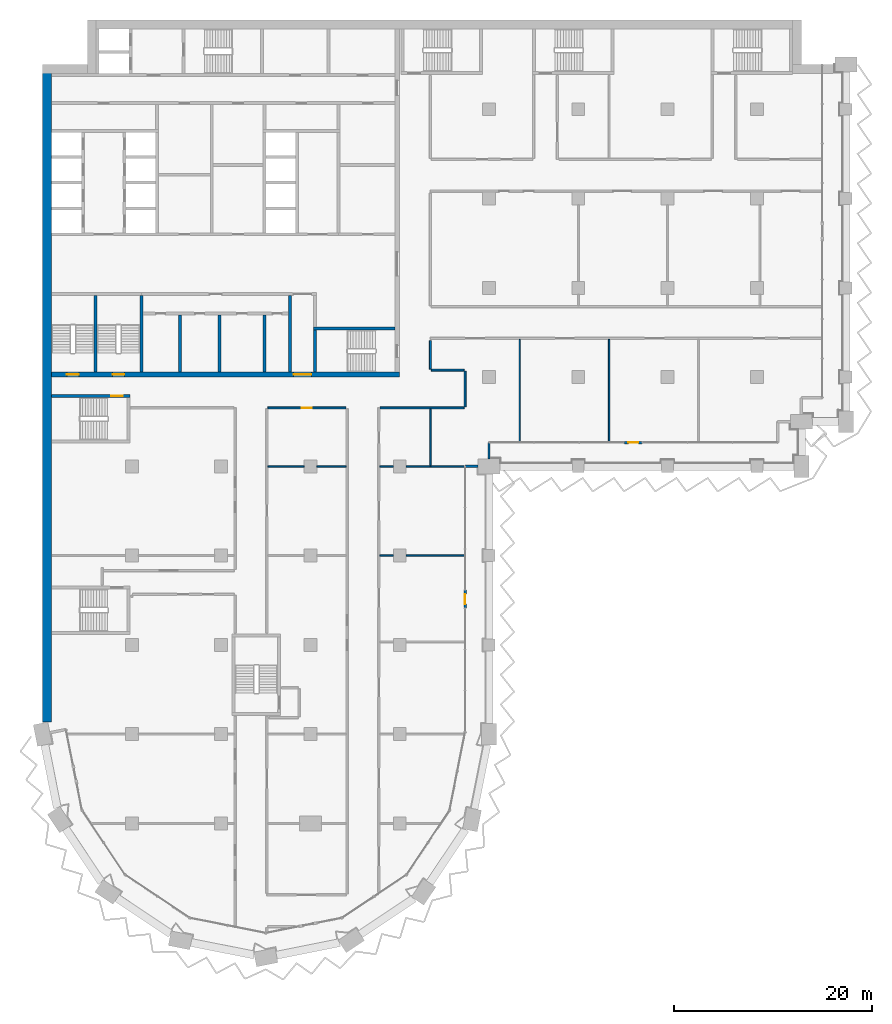
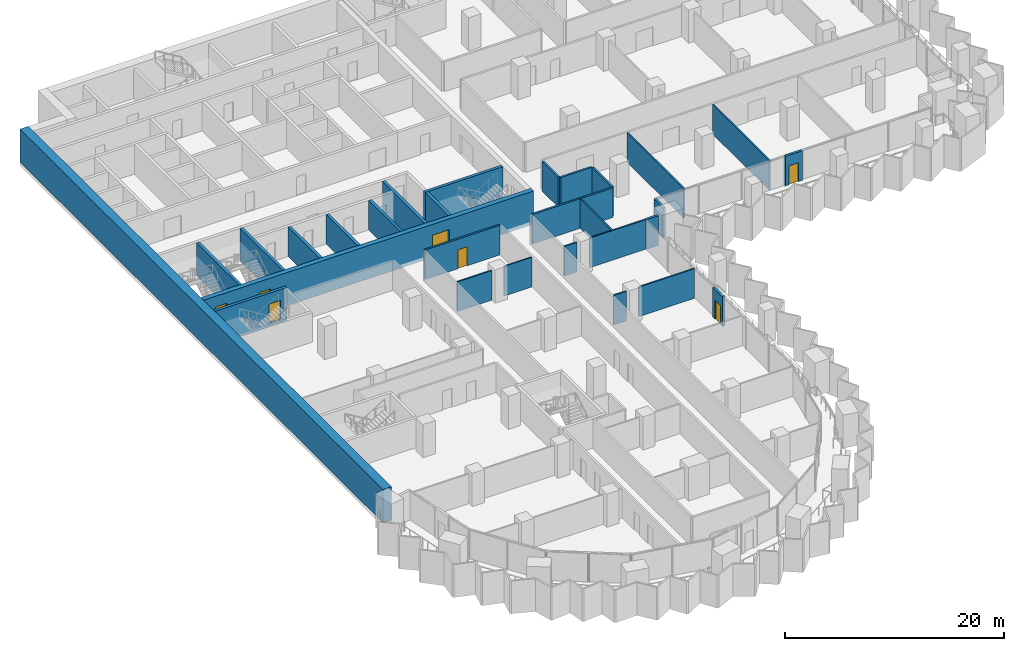
# One storey, part 11 of 22: 29 walls, 7 doors, 7 openings.
"""IFC4 building model written with IfcOpenShell, lengths in metres."""

from ifc_helpers import new_model, si_unit, direction, frame, frame_2d, origin, place, context, subcontext, project, spatial, rectangle, extrude, material, layer, layer_set, type_object, element, fill, save


model = new_model("IFC4")

# Units and contexts
model_context = context("Model", 3, precision=1e-05, world=origin(), true_north=direction((0.0, 1.0)))
body_context = subcontext(model_context, "Body", "Model", "MODEL_VIEW")
ifc_project = project(units=[si_unit("LENGTHUNIT", "METRE"), si_unit("AREAUNIT", "SQUARE_METRE"), si_unit("VOLUMEUNIT", "CUBIC_METRE"), si_unit("PLANEANGLEUNIT", "RADIAN"), si_unit("MASSUNIT", "GRAM", prefix="KILO")], contexts=[model_context])

# Site, building, storey
site_placement = place(None, origin())
site = spatial("IfcSite", under=ifc_project, at=site_placement, CompositionType="ELEMENT")
building_placement = place(site_placement, origin())
building = spatial("IfcBuilding", under=site, at=building_placement, Name="Hunhe Ridgeline Campus", CompositionType="ELEMENT")
storey_placement = place(building_placement, frame((0.0, 0.0, 92.199951171875)))
storey = spatial("IfcBuildingStorey", under=building, at=storey_placement, Name="L22", CompositionType="ELEMENT", Elevation=92.199951171875)

# Walls
ifc_material_1 = material(Name="Masonry concrete blockwork", Category="masonry")
ifc_layer_1 = layer(ifc_material_1, 0.300048828125)
ifc_layer_set_1 = layer_set([ifc_layer_1], Name="Core room partition 300 concrete block")
wall_type_1 = type_object("IfcWallType", Name="Core room partition 300 concrete block", PredefinedType="PARTITIONING", material=ifc_layer_set_1)
for number, where, z_axis, x_axis, name in (
    (1, (13.85009765625, 63.5, 0.0), (0.0, 0.0, 1.0), (0.0, 1.0, 0.0), "L22 core partition 44"),
    (2, (17.85009765625, 63.5, 0.0), (0.0, 0.0, 1.0), (0.0, 1.0, 0.0), "L22 core partition 47"),
    (3, (22.35009765625, 63.5, 0.0), (0.0, 0.0, 1.0), (0.0, 1.0, 0.0), "L22 core partition 50"),
):
    element("IfcWall", number, at=place(storey_placement, frame(where, z_axis=z_axis, x_axis=x_axis)), inside=storey, type_object=wall_type_1, Name=name, PredefinedType="PARTITIONING", context=body_context, shape_type="SweptSolid", body=[
        extrude(rectangle(XDim=5.75, YDim=0.300048828125, at=frame_2d((2.875, 0.0))), origin(), (0.0, 0.0, 1.0), 3.300048828125),
    ])
wall_1_placement = place(storey_placement, frame((24.949951171875, 63.5, 0.0), z_axis=(0.0, 0.0, 1.0), x_axis=(0.0, 1.0, 0.0)))
element("IfcWall", 4, at=wall_1_placement, inside=storey, type_object=wall_type_1, Name="L22 core partition 54", PredefinedType="PARTITIONING", context=body_context, shape_type="SweptSolid", body=[
    extrude(rectangle(XDim=7.75, YDim=0.300048828125, at=frame_2d((3.875, 0.0))), origin(), (0.0, 0.0, 1.0), 3.300048828125),
])

# Wall, openings, doors
ifc_material_2 = material(Name="Concrete C80", Category="concrete")
ifc_layer_2 = layer(ifc_material_2, 0.5)
ifc_layer_set_2 = layer_set([ifc_layer_2], Name="Core wall 500 reinforced concrete C80")
wall_type_2 = type_object("IfcWallType", Name="Core wall 500 reinforced concrete C80", PredefinedType="SOLIDWALL", material=ifc_layer_set_2)
wall_2_placement = place(storey_placement, frame((0.89990234375, 63.25, -0.39990234375), z_axis=(0.0, 0.0, 1.0), x_axis=(1.0, 0.0, 0.0)))
wall_2 = element("IfcWall", 5, at=wall_2_placement, inside=storey, type_object=wall_type_2, Name="L22 core wall 7", PredefinedType="SOLIDWALL", context=body_context, shape_type="SweptSolid", body=[
    extrude(rectangle(XDim=35.10009765625, YDim=0.5, at=frame_2d((17.550048828125, 0.0))), origin(), (0.0, 0.0, 1.0), 3.699951171875),
])
opening_1_placement = place(wall_2_placement, frame((24.39990234375, 0.0, 0.39990234375)))
opening_1 = element("IfcOpeningElement", 6, at=opening_1_placement, cuts=wall_2, Name="Opening CD6", PredefinedType="OPENING", context=body_context, shape_type="SweptSolid", body=[
    extrude(rectangle(XDim=1.800048828125, YDim=2.10009765625, at=frame_2d((0.89990234375, 1.050048828125))), frame((0.0, 0.25, 0.0), z_axis=(0.0, -1.0, 0.0), x_axis=(1.0, 0.0, 0.0)), (0.0, 0.0, 1.0), 0.5),
])
opening_2_placement = place(wall_2_placement, frame((1.550048828125, 0.0, 0.39990234375)))
opening_2 = element("IfcOpeningElement", 7, at=opening_2_placement, cuts=wall_2, Name="Opening CD13", PredefinedType="OPENING", context=body_context, shape_type="SweptSolid", body=[
    extrude(rectangle(XDim=1.199951171875, YDim=2.10009765625, at=frame_2d((0.60009765625, 1.050048828125))), frame((0.0, 0.25, 0.0), z_axis=(0.0, -1.0, 0.0), x_axis=(1.0, 0.0, 0.0)), (0.0, 0.0, 1.0), 0.5),
])
opening_3_placement = place(wall_2_placement, frame((6.14990234375, 0.0, 0.39990234375)))
opening_3 = element("IfcOpeningElement", 8, at=opening_3_placement, cuts=wall_2, Name="Opening CD14", PredefinedType="OPENING", context=body_context, shape_type="SweptSolid", body=[
    extrude(rectangle(XDim=1.199951171875, YDim=2.10009765625, at=frame_2d((0.60009765625, 1.050048828125))), frame((0.0, 0.25, 0.0), z_axis=(0.0, -1.0, 0.0), x_axis=(1.0, 0.0, 0.0)), (0.0, 0.0, 1.0), 0.5),
])
ifc_material_3 = material(Name="Anodised aluminium and glass", Category="aluminium")
door_type_1 = type_object("IfcDoorType", Name="Glazed double door 1800x2100", OperationType="DOUBLE_DOOR_SINGLE_SWING", PredefinedType="DOOR", material=ifc_material_3)
door_1_placement = place(opening_1_placement, frame((1.800048828125, 0.0, 0.0), z_axis=(0.0, 0.0, 1.0), x_axis=(-1.0, 0.0, 0.0)))
door_1 = element("IfcDoor", 9, at=door_1_placement, inside=storey, type_object=door_type_1, Name="L22 door VEST-FLOOR", OperationType="DOUBLE_DOOR_SINGLE_SWING", OverallHeight=2.10009765625, OverallWidth=1.800048828125, PredefinedType="DOOR", context=body_context, shape_type="SweptSolid", body=[
    extrude(rectangle(XDim=1.800048828125, YDim=2.10009765625, at=frame_2d((0.89990234375, 1.050048828125))), frame((0.0, 0.02490234375, 0.0), z_axis=(0.0, -1.0, 0.0), x_axis=(1.0, 0.0, 0.0)), (0.0, 0.0, 1.0), 0.050048828125),
])
fill(opening_1, door_1)
ifc_material_4 = material(Name="Hollow metal fire door leaf")
door_type_2 = type_object("IfcDoorType", Name="Stair door 1200x2100 FD60", OperationType="SINGLE_SWING_LEFT", PredefinedType="DOOR", material=ifc_material_4)
door_2_placement = place(opening_2_placement, frame((1.199951171875, 0.0, 0.0), z_axis=(0.0, 0.0, 1.0), x_axis=(-1.0, 0.0, 0.0)))
door_2 = element("IfcDoor", 10, at=door_2_placement, inside=storey, type_object=door_type_2, Name="L22 door S3", OperationType="SINGLE_SWING_RIGHT", OverallHeight=2.10009765625, OverallWidth=1.199951171875, PredefinedType="DOOR", context=body_context, shape_type="SweptSolid", body=[
    extrude(rectangle(XDim=1.199951171875, YDim=2.10009765625, at=frame_2d((0.60009765625, 1.050048828125))), frame((0.0, 0.02490234375, 0.0), z_axis=(0.0, -1.0, 0.0), x_axis=(1.0, 0.0, 0.0)), (0.0, 0.0, 1.0), 0.050048828125),
])
fill(opening_2, door_2)
door_3_placement = place(opening_3_placement, frame((1.199951171875, 0.0, 0.0), z_axis=(0.0, 0.0, 1.0), x_axis=(-1.0, 0.0, 0.0)))
door_3 = element("IfcDoor", 11, at=door_3_placement, inside=storey, type_object=door_type_2, Name="L22 door S4", OperationType="SINGLE_SWING_LEFT", OverallHeight=2.10009765625, OverallWidth=1.199951171875, PredefinedType="DOOR", context=body_context, shape_type="SweptSolid", body=[
    extrude(rectangle(XDim=1.199951171875, YDim=2.10009765625, at=frame_2d((0.60009765625, 1.050048828125))), frame((0.0, 0.02490234375, 0.0), z_axis=(0.0, -1.0, 0.0), x_axis=(1.0, 0.0, 0.0)), (0.0, 0.0, 1.0), 0.050048828125),
])
fill(opening_3, door_3)

# Walls
ifc_material_5 = material(Name="Concrete C30", Category="concrete")
ifc_layer_3 = layer(ifc_material_5, 0.25)
ifc_layer_set_3 = layer_set([ifc_layer_3], Name="Corner return wall 250 Concrete C30")
wall_type_3 = type_object("IfcWallType", Name="Corner return wall 250 Concrete C30", PredefinedType="SOLIDWALL", material=ifc_layer_set_3)
wall_3_placement = place(storey_placement, frame((42.599365234375, 54.000732421875, 0.0), z_axis=(0.0, 0.0, 1.0), x_axis=(0.99999998238, 0.000187722918, 0.0)))
element("IfcWall", 12, at=wall_3_placement, inside=storey, type_object=wall_type_3, Name="Corner return wall 2", PredefinedType="SOLIDWALL", context=body_context, shape_type="SweptSolid", body=[
    extrude(rectangle(XDim=1.300537109375, YDim=0.25, at=frame_2d((0.650390625, 0.0))), origin(), (0.0, 0.0, 1.0), 3.300048828125),
])
wall_4_placement = place(storey_placement, frame((44.999267578125, 54.75, 0.0), z_axis=(0.0, 0.0, 1.0), x_axis=(0.000443655679, 0.999999901585, 0.0)))
element("IfcWall", 13, at=wall_4_placement, inside=storey, type_object=wall_type_3, Name="Corner return wall 3", PredefinedType="SOLIDWALL", context=body_context, shape_type="SweptSolid", body=[
    extrude(rectangle(XDim=1.65087890625, YDim=0.25, at=frame_2d((0.825439453125, 0.0))), origin(), (0.0, 0.0, 1.0), 3.300048828125),
])
ifc_material_6 = material(Name="Gypsum board partition")
ifc_layer_4 = layer(ifc_material_6, 0.199951171875)
ifc_layer_set_4 = layer_set([ifc_layer_4], Name="Corridor partition 200 gypsum board on steel studs")
wall_type_4 = type_object("IfcWallType", Name="Corridor partition 200 gypsum board on steel studs", PredefinedType="PARTITIONING", material=ifc_layer_set_4)
wall_5_placement = place(storey_placement, frame((34.029296875, 59.89990234375, 0.0), z_axis=(0.0, 0.0, 1.0), x_axis=(1.0, 0.0, 0.0)))
element("IfcWall", 14, at=wall_5_placement, inside=storey, type_object=wall_type_4, Name="F-L22-wall-034", PredefinedType="PARTITIONING", context=body_context, shape_type="SweptSolid", body=[
    extrude(rectangle(XDim=8.470703125, YDim=0.199951171875, at=frame_2d((4.2353515625, 0.0))), origin(), (0.0, 0.0, 1.0), 3.300048828125),
])

# Wall, opening, door
wall_6_placement = place(storey_placement, frame((30.580810546875, 59.89990234375, 0.0), z_axis=(0.0, 0.0, 1.0), x_axis=(-1.0, 0.0, 0.0)))
wall_6 = element("IfcWall", 15, at=wall_6_placement, inside=storey, type_object=wall_type_4, Name="F-L22-wall-036", PredefinedType="PARTITIONING", context=body_context, shape_type="SweptSolid", body=[
    extrude(rectangle(XDim=7.882568359375, YDim=0.199951171875, at=frame_2d((3.94140625, 0.0))), origin(), (0.0, 0.0, 1.0), 3.300048828125),
])
opening_4_placement = place(wall_6_placement, frame((3.441162109375, 0.0, 0.0)))
opening_4 = element("IfcOpeningElement", 16, at=opening_4_placement, cuts=wall_6, Name="Opening RD1-021", PredefinedType="OPENING", context=body_context, shape_type="SweptSolid", body=[
    extrude(rectangle(XDim=1.0, YDim=2.10009765625, at=frame_2d((0.5, 1.050048828125))), frame((0.0, 0.10009765625, 0.0), z_axis=(0.0, -1.0, 0.0), x_axis=(1.0, 0.0, 0.0)), (0.0, 0.0, 1.0), 0.199951171875),
])
ifc_material_7 = material(Name="Timber door leaf", Category="wood")
door_type_3 = type_object("IfcDoorType", Name="Single fire door 1000x2100 timber FD60", OperationType="NOTDEFINED", PredefinedType="DOOR", material=ifc_material_7)
door_4_placement = place(opening_4_placement, origin())
door_4 = element("IfcDoor", 17, at=door_4_placement, inside=storey, type_object=door_type_3, Name="F-L22-door-021", OperationType="SINGLE_SWING_RIGHT", OverallHeight=2.10009765625, OverallWidth=1.0, PredefinedType="DOOR", context=body_context, shape_type="SweptSolid", body=[
    extrude(rectangle(XDim=1.0, YDim=2.10009765625, at=frame_2d((0.5, 1.050048828125))), frame((0.0, 0.02490234375, 0.0), z_axis=(0.0, -1.0, 0.0), x_axis=(1.0, 0.0, 0.0)), (0.0, 0.0, 1.0), 0.050048828125),
])
fill(opening_4, door_4)

# Walls
wall_7_placement = place(storey_placement, frame((39.199951171875, 63.699951171875, 0.0), z_axis=(0.0, 0.0, 1.0), x_axis=(1.0, 0.0, 0.0)))
element("IfcWall", 18, at=wall_7_placement, inside=storey, type_object=wall_type_4, Name="F-L22-wall-037", PredefinedType="PARTITIONING", context=body_context, shape_type="SweptSolid", body=[
    extrude(rectangle(XDim=3.300048828125, YDim=0.199951171875, at=frame_2d((1.64990234375, 0.0))), origin(), (0.0, 0.0, 1.0), 3.300048828125),
])
wall_8_placement = place(storey_placement, frame((39.10009765625, 66.669677734375, 0.0), z_axis=(0.0, 0.0, 1.0), x_axis=(0.0, -1.0, 0.0)))
element("IfcWall", 19, at=wall_8_placement, inside=storey, type_object=wall_type_4, Name="F-L22-wall-056", PredefinedType="PARTITIONING", context=body_context, shape_type="SweptSolid", body=[
    extrude(rectangle(XDim=2.86962890625, YDim=0.199951171875, at=frame_2d((1.434814453125, 0.0))), origin(), (0.0, 0.0, 1.0), 3.300048828125),
])
wall_9_placement = place(storey_placement, frame((42.60009765625, 63.60009765625, 0.0), z_axis=(0.0, 0.0, 1.0), x_axis=(0.0, -1.0, 0.0)))
element("IfcWall", 20, at=wall_9_placement, inside=storey, type_object=wall_type_4, Name="F-L22-wall-059", PredefinedType="PARTITIONING", context=body_context, shape_type="SweptSolid", body=[
    extrude(rectangle(XDim=3.60009765625, YDim=0.199951171875, at=frame_2d((1.800048828125, 0.0))), origin(), (0.0, 0.0, 1.0), 3.300048828125),
])

# Wall, opening, door
ifc_layer_5 = layer(ifc_material_5, 0.25)
ifc_layer_set_5 = layer_set([ifc_layer_5], Name="Loggia door pier wall 250 Concrete C30")
wall_type_5 = type_object("IfcWallType", Name="Loggia door pier wall 250 Concrete C30", PredefinedType="SOLIDWALL", material=ifc_layer_set_5)
wall_10_placement = place(storey_placement, frame((42.59912109375, 39.718505859375, 0.0), z_axis=(0.0, 0.0, 1.0), x_axis=(0.0, 1.0, 0.0)))
wall_10 = element("IfcWall", 21, at=wall_10_placement, inside=storey, type_object=wall_type_5, Name="Loggia door pier 3", PredefinedType="SOLIDWALL", context=body_context, shape_type="SweptSolid", body=[
    extrude(rectangle(XDim=1.800048828125, YDim=0.25, at=frame_2d((0.89990234375, 0.0))), origin(), (0.0, 0.0, 1.0), 3.300048828125),
])
opening_5_placement = place(wall_10_placement, frame((0.39990234375, 0.0, 0.0)))
opening_5 = element("IfcOpeningElement", 22, at=opening_5_placement, cuts=wall_10, Name="Opening BD205", PredefinedType="OPENING", context=body_context, shape_type="SweptSolid", body=[
    extrude(rectangle(XDim=1.0, YDim=2.10009765625, at=frame_2d((0.5, 1.050048828125))), frame((0.0, 0.125, 0.0), z_axis=(0.0, -1.0, 0.0), x_axis=(1.0, 0.0, 0.0)), (0.0, 0.0, 1.0), 0.25),
])
ifc_material_8 = material(Name="Aluminium 6063", Category="aluminium")
door_type_4 = type_object("IfcDoorType", Name="Loggia glazed door 1000x2100", OperationType="NOTDEFINED", PredefinedType="DOOR", material=ifc_material_8)
door_5_placement = place(opening_5_placement, frame((1.0, 0.0, 0.0), z_axis=(0.0, 0.0, 1.0), x_axis=(-1.0, 0.0, 0.0)))
door_5 = element("IfcDoor", 23, at=door_5_placement, inside=storey, type_object=door_type_4, Name="Loggia door BD205", OperationType="SINGLE_SWING_RIGHT", OverallHeight=2.10009765625, OverallWidth=1.0, PredefinedType="DOOR", context=body_context, shape_type="SweptSolid", body=[
    extrude(rectangle(XDim=1.0, YDim=2.10009765625, at=frame_2d((0.5, 1.050048828125))), frame((0.0, 0.02490234375, 0.0), z_axis=(0.0, -1.0, 0.0), x_axis=(1.0, 0.0, 0.0)), (0.0, 0.0, 1.0), 0.050048828125),
])
fill(opening_5, door_5)

wall_11_placement = place(storey_placement, frame((58.6494140625, 56.40087890625, 0.0), z_axis=(0.0, 0.0, 1.0), x_axis=(1.0, 0.0, 0.0)))
wall_11 = element("IfcWall", 24, at=wall_11_placement, inside=storey, type_object=wall_type_5, Name="Loggia door pier 4", PredefinedType="SOLIDWALL", context=body_context, shape_type="SweptSolid", body=[
    extrude(rectangle(XDim=1.800048828125, YDim=0.25, at=frame_2d((0.89990234375, 0.0))), origin(), (0.0, 0.0, 1.0), 3.300048828125),
])
opening_6_placement = place(wall_11_placement, frame((0.39990234375, 0.0, 0.0)))
opening_6 = element("IfcOpeningElement", 25, at=opening_6_placement, cuts=wall_11, Name="Opening BD206", PredefinedType="OPENING", context=body_context, shape_type="SweptSolid", body=[
    extrude(rectangle(XDim=1.0, YDim=2.10009765625, at=frame_2d((0.5, 1.050048828125))), frame((0.0, 0.125, 0.0), z_axis=(0.0, -1.0, 0.0), x_axis=(1.0, 0.0, 0.0)), (0.0, 0.0, 1.0), 0.25),
])
door_6_placement = place(opening_6_placement, frame((1.0, 0.0, 0.0), z_axis=(0.0, 0.0, 1.0), x_axis=(-1.0, 0.0, 0.0)))
door_6 = element("IfcDoor", 26, at=door_6_placement, inside=storey, type_object=door_type_4, Name="Loggia door BD206", OperationType="SINGLE_SWING_LEFT", OverallHeight=2.10009765625, OverallWidth=1.0, PredefinedType="DOOR", context=body_context, shape_type="SweptSolid", body=[
    extrude(rectangle(XDim=1.0, YDim=2.10009765625, at=frame_2d((0.5, 1.050048828125))), frame((0.0, 0.02490234375, 0.0), z_axis=(0.0, -1.0, 0.0), x_axis=(1.0, 0.0, 0.0)), (0.0, 0.0, 1.0), 0.050048828125),
])
fill(opening_6, door_6)

# Walls
ifc_layer_6 = layer(ifc_material_6, 0.14990234375)
ifc_layer_set_6 = layer_set([ifc_layer_6], Name="Room partition 150 gypsum board on steel studs")
wall_type_6 = type_object("IfcWallType", Name="Room partition 150 gypsum board on steel studs", PredefinedType="PARTITIONING", material=ifc_layer_set_6)
wall_12_placement = place(storey_placement, frame((34.0, 45.0, 0.0), z_axis=(0.0, 0.0, 1.0), x_axis=(1.0, 0.0, 0.0)))
element("IfcWall", 27, at=wall_12_placement, inside=storey, type_object=wall_type_6, Name="F-L22-wall-028", PredefinedType="PARTITIONING", context=body_context, shape_type="SweptSolid", body=[
    extrude(rectangle(XDim=1.35009765625, YDim=0.14990234375, at=frame_2d((0.675048828125, 0.0))), origin(), (0.0, 0.0, 1.0), 3.300048828125),
])
wall_13_placement = place(storey_placement, frame((36.64990234375, 45.0, 0.0), z_axis=(0.0, 0.0, 1.0), x_axis=(1.0, 0.0, 0.0)))
element("IfcWall", 28, at=wall_13_placement, inside=storey, type_object=wall_type_6, Name="F-L22-wall-029", PredefinedType="PARTITIONING", context=body_context, shape_type="SweptSolid", body=[
    extrude(rectangle(XDim=5.895263671875, YDim=0.14990234375, at=frame_2d((2.94775390625, 0.0))), origin(), (0.0, 0.0, 1.0), 3.300048828125),
])
wall_14_placement = place(storey_placement, frame((22.699951171875, 54.0, 0.0), z_axis=(0.0, 0.0, 1.0), x_axis=(1.0, 0.0, 0.0)))
element("IfcWall", 29, at=wall_14_placement, inside=storey, type_object=wall_type_6, Name="F-L22-wall-030", PredefinedType="PARTITIONING", context=body_context, shape_type="SweptSolid", body=[
    extrude(rectangle(XDim=3.650146484375, YDim=0.14990234375, at=frame_2d((1.8251953125, 0.0))), origin(), (0.0, 0.0, 1.0), 3.300048828125),
])
wall_15_placement = place(storey_placement, frame((27.64990234375, 54.0, 0.0), z_axis=(0.0, 0.0, 1.0), x_axis=(1.0, 0.0, 0.0)))
element("IfcWall", 30, at=wall_15_placement, inside=storey, type_object=wall_type_6, Name="F-L22-wall-031", PredefinedType="PARTITIONING", context=body_context, shape_type="SweptSolid", body=[
    extrude(rectangle(XDim=2.9501953125, YDim=0.14990234375, at=frame_2d((1.47509765625, 0.0))), origin(), (0.0, 0.0, 1.0), 3.300048828125),
])
wall_16_placement = place(storey_placement, frame((34.0, 54.0, 0.0), z_axis=(0.0, 0.0, 1.0), x_axis=(1.0, 0.0, 0.0)))
element("IfcWall", 31, at=wall_16_placement, inside=storey, type_object=wall_type_6, Name="F-L22-wall-032", PredefinedType="PARTITIONING", context=body_context, shape_type="SweptSolid", body=[
    extrude(rectangle(XDim=1.35009765625, YDim=0.14990234375, at=frame_2d((0.675048828125, 0.0))), origin(), (0.0, 0.0, 1.0), 3.300048828125),
])
wall_17_placement = place(storey_placement, frame((36.64990234375, 54.0, 0.0), z_axis=(0.0, 0.0, 1.0), x_axis=(1.0, 0.0, 0.0)))
element("IfcWall", 32, at=wall_17_placement, inside=storey, type_object=wall_type_6, Name="F-L22-wall-033", PredefinedType="PARTITIONING", context=body_context, shape_type="SweptSolid", body=[
    extrude(rectangle(XDim=5.8955078125, YDim=0.14990234375, at=frame_2d((2.94775390625, 0.0))), origin(), (0.0, 0.0, 1.0), 3.300048828125),
])
wall_18_placement = place(storey_placement, frame((39.10009765625, 59.800048828125, 0.0), z_axis=(0.0, 0.0, 1.0), x_axis=(0.0, -1.0, 0.0)))
element("IfcWall", 33, at=wall_18_placement, inside=storey, type_object=wall_type_6, Name="F-L22-wall-055", PredefinedType="PARTITIONING", context=body_context, shape_type="SweptSolid", body=[
    extrude(rectangle(XDim=5.72509765625, YDim=0.14990234375, at=frame_2d((2.862548828125, 0.0))), origin(), (0.0, 0.0, 1.0), 3.300048828125),
])
for number, where, z_axis, x_axis, name in (
    (34, (48.10009765625, 66.800048828125, 0.0), (0.0, 0.0, 1.0), (0.0, -1.0, 0.0), "F-L22-wall-060"),
    (35, (57.10009765625, 66.800048828125, 0.0), (0.0, 0.0, 1.0), (0.0, -1.0, 0.0), "F-L22-wall-065"),
):
    element("IfcWall", number, at=place(storey_placement, frame(where, z_axis=z_axis, x_axis=x_axis)), inside=storey, type_object=wall_type_6, Name=name, PredefinedType="PARTITIONING", context=body_context, shape_type="SweptSolid", body=[
        extrude(rectangle(XDim=10.344970703125, YDim=0.14990234375, at=frame_2d((5.17236328125, 0.0))), origin(), (0.0, 0.0, 1.0), 3.300048828125),
    ])
ifc_material_9 = material(Name="Concrete C70", Category="concrete")
ifc_layer_7 = layer(ifc_material_9, 0.89990234375)
ifc_layer_set_7 = layer_set([ifc_layer_7], Name="Spine wall 900 Concrete C70")
wall_type_7 = type_object("IfcWallType", Name="Spine wall 900 Concrete C70", PredefinedType="SHEAR", material=ifc_layer_set_7)
wall_19_placement = place(storey_placement, frame((0.449951171875, 94.5, 0.0), z_axis=(0.0, 0.0, 1.0), x_axis=(0.0, -1.0, 0.0)))
element("IfcWall", 36, at=wall_19_placement, inside=storey, type_object=wall_type_7, Name="Spine wall SW2-1 L22", PredefinedType="SHEAR", context=body_context, shape_type="SweptSolid", body=[
    extrude(rectangle(XDim=66.288818359375, YDim=0.89990234375, at=frame_2d((33.14453125, 0.0))), origin(), (0.0, 0.0, 1.0), 3.699951171875),
])

# Wall, opening, door
ifc_layer_8 = layer(ifc_material_2, 0.300048828125)
ifc_layer_set_8 = layer_set([ifc_layer_8], Name="Stair wall 300 reinforced concrete C80")
wall_type_8 = type_object("IfcWallType", Name="Stair wall 300 reinforced concrete C80", PredefinedType="SOLIDWALL", material=ifc_layer_set_8)
wall_20_placement = place(storey_placement, frame((0.89990234375, 61.10009765625, -0.39990234375), z_axis=(0.0, 0.0, 1.0), x_axis=(1.0, 0.0, 0.0)))
wall_20 = element("IfcWall", 37, at=wall_20_placement, inside=storey, type_object=wall_type_8, Name="L22 core wall 6", PredefinedType="SOLIDWALL", context=body_context, shape_type="SweptSolid", body=[
    extrude(rectangle(XDim=7.900146484375, YDim=0.300048828125, at=frame_2d((3.9501953125, 0.0))), origin(), (0.0, 0.0, 1.0), 3.699951171875),
])
opening_7_placement = place(wall_20_placement, frame((6.0, 0.0, 0.39990234375)))
opening_7 = element("IfcOpeningElement", 38, at=opening_7_placement, cuts=wall_20, Name="Opening CD22", PredefinedType="OPENING", context=body_context, shape_type="SweptSolid", body=[
    extrude(rectangle(XDim=1.199951171875, YDim=2.10009765625, at=frame_2d((0.60009765625, 1.050048828125))), frame((0.0, 0.14990234375, 0.0), z_axis=(0.0, -1.0, 0.0), x_axis=(1.0, 0.0, 0.0)), (0.0, 0.0, 1.0), 0.300048828125),
])
door_7_placement = place(opening_7_placement, origin())
door_7 = element("IfcDoor", 39, at=door_7_placement, inside=storey, type_object=door_type_2, Name="L22 door W2", OperationType="SINGLE_SWING_LEFT", OverallHeight=2.10009765625, OverallWidth=1.199951171875, PredefinedType="DOOR", context=body_context, shape_type="SweptSolid", body=[
    extrude(rectangle(XDim=1.199951171875, YDim=2.10009765625, at=frame_2d((0.60009765625, 1.050048828125))), frame((0.0, 0.02490234375, 0.0), z_axis=(0.0, -1.0, 0.0), x_axis=(1.0, 0.0, 0.0)), (0.0, 0.0, 1.0), 0.050048828125),
])
fill(opening_7, door_7)

# Walls
wall_21_placement = place(storey_placement, frame((27.300048828125, 67.89990234375, -0.39990234375), z_axis=(0.0, 0.0, 1.0), x_axis=(1.0, 0.0, 0.0)))
element("IfcWall", 40, at=wall_21_placement, inside=storey, type_object=wall_type_8, Name="L22 core wall 8", PredefinedType="SOLIDWALL", context=body_context, shape_type="SweptSolid", body=[
    extrude(rectangle(XDim=8.199951171875, YDim=0.300048828125, at=frame_2d((4.10009765625, 0.0))), origin(), (0.0, 0.0, 1.0), 3.699951171875),
])
for number, where, z_axis, x_axis, name in (
    (41, (5.35009765625, 63.5, -0.39990234375), (0.0, 0.0, 1.0), (0.0, 1.0, 0.0), "L22 core wall 35"),
    (42, (9.949951171875, 63.5, -0.39990234375), (0.0, 0.0, 1.0), (0.0, 1.0, 0.0), "L22 core wall 41"),
):
    element("IfcWall", number, at=place(storey_placement, frame(where, z_axis=z_axis, x_axis=x_axis)), inside=storey, type_object=wall_type_8, Name=name, PredefinedType="SOLIDWALL", context=body_context, shape_type="SweptSolid", body=[
        extrude(rectangle(XDim=7.75, YDim=0.300048828125, at=frame_2d((3.875, 0.0))), origin(), (0.0, 0.0, 1.0), 3.699951171875),
    ])
wall_22_placement = place(storey_placement, frame((27.449951171875, 63.5, -0.39990234375), z_axis=(0.0, 0.0, 1.0), x_axis=(0.0, 1.0, 0.0)))
element("IfcWall", 43, at=wall_22_placement, inside=storey, type_object=wall_type_8, Name="L22 core wall 56", PredefinedType="SOLIDWALL", context=body_context, shape_type="SweptSolid", body=[
    extrude(rectangle(XDim=4.25, YDim=0.300048828125, at=frame_2d((2.125, 0.0))), origin(), (0.0, 0.0, 1.0), 3.699951171875),
])

save(model, "model.ifc")
